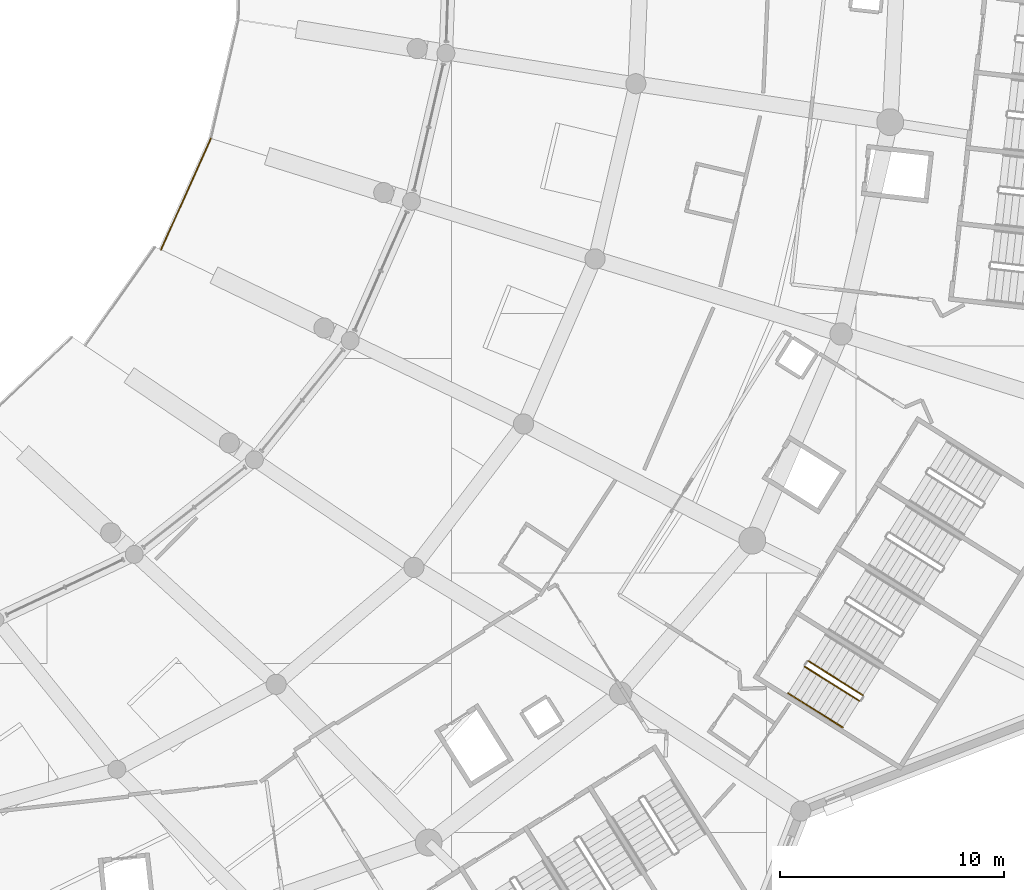
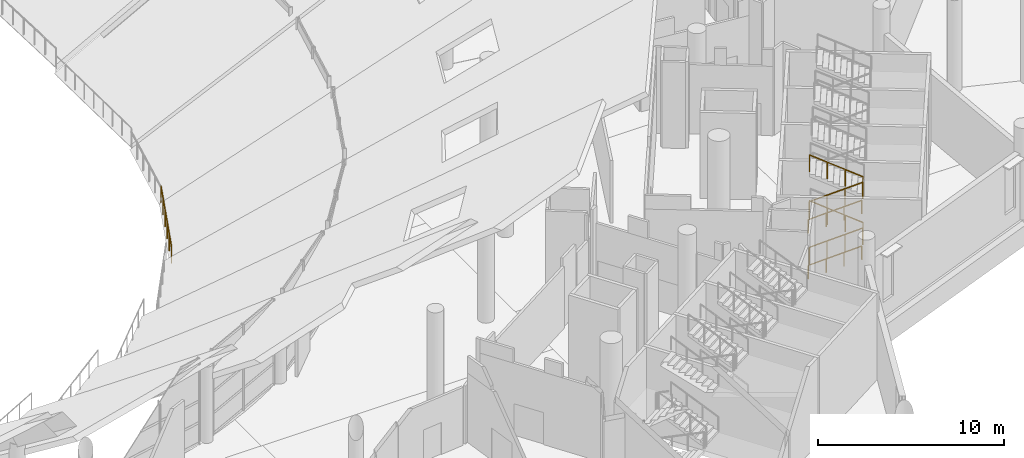
# One storey, part 221 of 249: 7 railings.
"""IFC4 building model written with IfcOpenShell, lengths in metres."""

import ifcopenshell
import ifcopenshell.guid

model = None  # the IFC model being written
_history = None  # IfcOwnerHistory: only IFC2X3 demands one
_inside = {}  # id of a spatial element -> (the spatial element, [elements in it])
_under = {}  # id of a project, library or spatial element -> (it, [spatial elements below it])
_declared = {}  # id of a project -> (the project, [libraries it declares])
_typed = {}  # id of a type object -> (the type object, [elements of that type])
_made_of = {}  # id of a material, layer set ... -> (it, [elements and type objects made of it])


def new_model(schema):
    """Start an empty IFC model of exactly this schema.

    Asked for "IFC4X3", IfcOpenShell would pick the latest addendum, in which some entities
    have other attributes; the version numbers below select the first issue.
    IFC2X3 requires an IfcOwnerHistory on every rooted entity: one is made here for all.
    """
    global model, _history
    if schema == "IFC4X3":
        model = ifcopenshell.file(schema_version=(4, 3, 0, 0))
    else:
        model = ifcopenshell.file(schema=schema)
    _inside.clear()
    _under.clear()
    _declared.clear()
    _typed.clear()
    _made_of.clear()
    _history = None
    if model.schema == "IFC2X3":
        org = make("IfcOrganization", Name="unknown")
        user = make(
            "IfcPersonAndOrganization",
            ThePerson=make("IfcPerson", FamilyName="unknown"),
            TheOrganization=org,
        )
        app = make(
            "IfcApplication",
            ApplicationDeveloper=org,
            Version="unknown",
            ApplicationFullName="unknown",
            ApplicationIdentifier="unknown",
        )
        _history = make(
            "IfcOwnerHistory",
            OwningUser=user,
            OwningApplication=app,
            ChangeAction="ADDED",
            CreationDate=0,
        )
    return model


def make(cls, **values):
    """One entity of the class cls with the attributes given. An attribute that is None is left unset."""
    return model.create_entity(
        cls, **{name: value for name, value in values.items() if value is not None}
    )


def rooted(cls, **values):
    """An entity with a GlobalId (a new one), such as an element, a storey or a relation."""
    return make(cls, GlobalId=ifcopenshell.guid.new(), OwnerHistory=_history, **values)


def si_unit(unit_type, name, prefix=None):
    """IfcSIUnit, for example si_unit("LENGTHUNIT", "METRE", prefix="MILLI")."""
    return make("IfcSIUnit", UnitType=unit_type, Prefix=prefix, Name=name)


def assignment(units):
    """IfcUnitAssignment: the units of a project."""
    return None if units is None else make("IfcUnitAssignment", Units=units)


def point(xyz):
    """IfcCartesianPoint."""
    return None if xyz is None else make("IfcCartesianPoint", Coordinates=xyz)


def direction(xyz):
    """IfcDirection."""
    return None if xyz is None else make("IfcDirection", DirectionRatios=xyz)


def frame(location, z_axis=None, x_axis=None):
    """IfcAxis2Placement3D, a coordinate frame: its origin and axes. An axis left out is left unset."""
    return make(
        "IfcAxis2Placement3D",
        Location=point(location),
        Axis=direction(z_axis),
        RefDirection=direction(x_axis),
    )


def frame_2d(location, x_axis=None):
    """IfcAxis2Placement2D, a coordinate frame in the plane: its origin and x axis."""
    return make(
        "IfcAxis2Placement2D", Location=point(location), RefDirection=direction(x_axis)
    )


def origin():
    """The frame at (0, 0, 0) with its axes left unset."""
    return frame((0.0, 0.0, 0.0))


def origin_2d():
    """The frame at (0, 0) in the plane with its x axis left unset."""
    return frame_2d((0.0, 0.0))


def place(relative_to, where):
    """IfcLocalPlacement: puts the frame where relative to a parent placement (None: the world)."""
    return make(
        "IfcLocalPlacement", PlacementRelTo=relative_to, RelativePlacement=where
    )


def context(
    kind, dimensions, precision=None, world=None, true_north=None, identifier=None
):
    """IfcGeometricRepresentationContext, for example the 3D "Model" context."""
    return make(
        "IfcGeometricRepresentationContext",
        ContextIdentifier=identifier,
        ContextType=kind,
        CoordinateSpaceDimension=dimensions,
        Precision=precision,
        WorldCoordinateSystem=world,
        TrueNorth=true_north,
    )


def subcontext(parent, identifier, kind, view, scale=None):
    """IfcGeometricRepresentationSubContext, for example "Body" below "Model"."""
    return make(
        "IfcGeometricRepresentationSubContext",
        ContextIdentifier=identifier,
        ContextType=kind,
        ParentContext=parent,
        TargetScale=scale,
        TargetView=view,
    )


def project(units=None, contexts=None):
    """IfcProject with its units and contexts."""
    return rooted(
        "IfcProject",
        Name="project",
        RepresentationContexts=contexts,
        UnitsInContext=assignment(units),
    )


def spatial(cls, under=None, at=None, **own):
    """A site, building, storey or space (cls), placed at a placement, below another one or the project."""
    s = rooted(cls, ObjectPlacement=at, **own)
    if under is not None:
        _under.setdefault(under.id(), (under, []))[1].append(s)
    return s


def profile(cls, at=None, kind="AREA", **sizes):
    """A parametric profile (cls). Its sizes go by their IFC names, for example OverallWidth=200.0."""
    return make(cls, ProfileType=kind, Position=at, **sizes)


def circle(**sizes):
    """IfcCircleProfileDef."""
    return profile("IfcCircleProfileDef", **sizes)


def extrude(swept, where, along, depth):
    """IfcExtrudedAreaSolid: the profile swept, set in the frame where, extruded along a direction by depth."""
    return make(
        "IfcExtrudedAreaSolid",
        SweptArea=swept,
        Position=where,
        ExtrudedDirection=direction(along),
        Depth=depth,
    )


def shape(context_of_items, identifier, shape_type, items):
    """IfcShapeRepresentation: the items that make up one representation, for example the "Body"."""
    return make(
        "IfcShapeRepresentation",
        ContextOfItems=context_of_items,
        RepresentationIdentifier=identifier,
        RepresentationType=shape_type,
        Items=items,
    )


def material(Name=None, Category=None):
    """IfcMaterial."""
    return make("IfcMaterial", Name=Name, Category=Category)


def made_of(thing, what):
    """Note that an element or type object is made of a material, layer set ...; save() writes the relation."""
    if what is not None:
        _made_of.setdefault(what.id(), (what, []))[1].append(thing)
    return thing


def type_object(cls, material=None, **own):
    """A type object (cls), such as IfcWallType, which elements share."""
    return made_of(rooted(cls, **own), material)


def element(
    cls,
    number,
    at=None,
    inside=None,
    cuts=None,
    type_object=None,
    material=None,
    context=None,
    identifier="Body",
    shape_type=None,
    held_by="IfcProductDefinitionShape",
    body=None,
    shapes=None,
    **own,
):
    """One element of the class cls, such as IfcWall. Its Tag is "e" and its number.

    at: its placement. inside: the storey or other place that contains it. cuts: it is an
    opening in that element (IfcRelVoidsElement). A single representation is given by context,
    identifier, shape_type and body (its items); several are given by shapes. held_by: the class
    of the entity that holds the representations. save() writes the other relations.
    """
    e = rooted(cls, Tag="e%d" % number, ObjectPlacement=at, **own)
    if body is not None:
        shapes = [shape(context, identifier, shape_type, body)]
    if shapes is not None:
        e.Representation = make(held_by, Representations=shapes)
    if inside is not None:
        _inside.setdefault(inside.id(), (inside, []))[1].append(e)
    if cuts is not None:
        rooted(
            "IfcRelVoidsElement", RelatingBuildingElement=cuts, RelatedOpeningElement=e
        )
    if type_object is not None:
        _typed.setdefault(type_object.id(), (type_object, []))[1].append(e)
    return made_of(e, material)


def aggregate(whole, parts):
    """IfcRelAggregates: a whole, such as a stair, and the parts it consists of."""
    return rooted("IfcRelAggregates", RelatingObject=whole, RelatedObjects=parts)


def save(model, path):
    """Write the relations noted so far, then the file.

    IfcRelAggregates (storeys below a building ...), IfcRelContainedInSpatialStructure (elements
    in a storey), IfcRelDefinesByType, IfcRelAssociatesMaterial and IfcRelDeclares: one each for
    every whole, place, type object, material and project.
    """
    for whole, parts in _under.values():
        aggregate(whole, parts)
    for where, things in _inside.values():
        rooted(
            "IfcRelContainedInSpatialStructure",
            RelatedElements=things,
            RelatingStructure=where,
        )
    for kind, things in _typed.values():
        rooted("IfcRelDefinesByType", RelatedObjects=things, RelatingType=kind)
    for what, things in _made_of.values():
        rooted("IfcRelAssociatesMaterial", RelatedObjects=things, RelatingMaterial=what)
    for by, libraries in _declared.values():
        rooted("IfcRelDeclares", RelatingContext=by, RelatedDefinitions=libraries)
    model.write(path)


model = new_model("IFC4")

# Units and contexts
model_context = context("Model", 3, precision=1e-05, world=origin(), true_north=direction((0.0, 1.0)))
body_context = subcontext(model_context, "Body", "Model", "MODEL_VIEW")
ifc_project = project(units=[si_unit("LENGTHUNIT", "METRE"), si_unit("AREAUNIT", "SQUARE_METRE"), si_unit("VOLUMEUNIT", "CUBIC_METRE"), si_unit("PLANEANGLEUNIT", "RADIAN"), si_unit("MASSUNIT", "GRAM", prefix="KILO")], contexts=[model_context])

# Site, building, storey
site_placement = place(None, origin())
site = spatial("IfcSite", under=ifc_project, at=site_placement, CompositionType="ELEMENT")
building_placement = place(site_placement, origin())
building = spatial("IfcBuilding", under=site, at=building_placement, Name="Meseta Stadium", CompositionType="ELEMENT")
storey_placement = place(building_placement, frame((0.0, 0.0, 12.0)))
storey = spatial("IfcBuildingStorey", under=building, at=storey_placement, Name="L02", CompositionType="ELEMENT", Elevation=12.0)

# Railings
ifc_material_1 = material(Name="Steel S355", Category="steel")
railing_type_1 = type_object("IfcRailingType", Name="Stair guard 1100", PredefinedType="GUARDRAIL", material=ifc_material_1)
railing_1_placement = place(storey_placement, frame((80.54736328125, -77.907958984375, 0.14990234375)))
element("IfcRailing", 1, at=railing_1_placement, inside=storey, type_object=railing_type_1, Name="ST109 L02 guard 1", PredefinedType="GUARDRAIL", context=body_context, shape_type="SweptSolid", body=[
    extrude(circle(Radius=0.02392578125, at=origin_2d()), frame((0.0, 0.0, 1.076171875), z_axis=(0.766655447606, -0.481731036161, 0.424469826318), x_axis=(0.53203959143, 0.846719477248, 0.0)), (0.0, 0.0, 1.0), 3.1806640625),
    extrude(circle(Radius=0.02099609375, at=origin_2d()), origin(), (0.0, 0.0, 1.0), 1.052001953125),
    extrude(circle(Radius=0.02099609375, at=origin_2d()), frame((0.812744140625, -0.5107421875, 0.449951171875)), (0.0, 0.0, 1.0), 1.052001953125),
    extrude(circle(Radius=0.02099609375, at=origin_2d()), frame((1.625732421875, -1.021484375, 0.900146484375)), (0.0, 0.0, 1.0), 1.052001953125),
    extrude(circle(Radius=0.02099609375, at=origin_2d()), frame((2.4384765625, -1.5322265625, 1.35009765625)), (0.0, 0.0, 1.0), 1.052001953125),
])
railing_2_placement = place(storey_placement, frame((83.1455078125, -79.18603515625, 1.64990234375)))
element("IfcRailing", 2, at=railing_2_placement, inside=storey, type_object=railing_type_1, Name="ST109 L02 guard 3", PredefinedType="GUARDRAIL", context=body_context, shape_type="SweptSolid", body=[
    extrude(circle(Radius=0.02392578125, at=origin_2d()), frame((0.0, 0.0, 1.076171875), z_axis=(-0.766655447606, 0.481731036161, 0.424469826318), x_axis=(-0.53203959143, -0.846719477248, 0.0)), (0.0, 0.0, 1.0), 3.1806640625),
    extrude(circle(Radius=0.02099609375, at=origin_2d()), origin(), (0.0, 0.0, 1.0), 1.052001953125),
    extrude(circle(Radius=0.02099609375, at=origin_2d()), frame((-0.812744140625, 0.5107421875, 0.449951171875)), (0.0, 0.0, 1.0), 1.052001953125),
    extrude(circle(Radius=0.02099609375, at=origin_2d()), frame((-1.625732421875, 1.021484375, 0.900146484375)), (0.0, 0.0, 1.0), 1.052001953125),
    extrude(circle(Radius=0.02099609375, at=origin_2d()), frame((-2.4384765625, 1.5322265625, 1.35009765625)), (0.0, 0.0, 1.0), 1.052001953125),
])
railing_3_placement = place(storey_placement, frame((80.54736328125, -77.907958984375, 3.14990234375)))
element("IfcRailing", 3, at=railing_3_placement, inside=storey, type_object=railing_type_1, Name="ST109 L02 guard 5", PredefinedType="GUARDRAIL", context=body_context, shape_type="SweptSolid", body=[
    extrude(circle(Radius=0.02392578125, at=origin_2d()), frame((0.0, 0.0, 1.076171875), z_axis=(0.766655447606, -0.481731036161, 0.424469826318), x_axis=(0.53203959143, 0.846719477248, 0.0)), (0.0, 0.0, 1.0), 3.1806640625),
    extrude(circle(Radius=0.02099609375, at=origin_2d()), origin(), (0.0, 0.0, 1.0), 1.052001953125),
    extrude(circle(Radius=0.02099609375, at=origin_2d()), frame((0.812744140625, -0.5107421875, 0.449951171875)), (0.0, 0.0, 1.0), 1.052001953125),
    extrude(circle(Radius=0.02099609375, at=origin_2d()), frame((1.625732421875, -1.021484375, 0.900146484375)), (0.0, 0.0, 1.0), 1.052001953125),
    extrude(circle(Radius=0.02099609375, at=origin_2d()), frame((2.4384765625, -1.5322265625, 1.35009765625)), (0.0, 0.0, 1.0), 1.052001953125),
])
railing_4_placement = place(storey_placement, frame((83.1455078125, -79.18603515625, 4.64990234375)))
element("IfcRailing", 4, at=railing_4_placement, inside=storey, type_object=railing_type_1, Name="ST109 L02 guard 7", PredefinedType="GUARDRAIL", context=body_context, shape_type="SweptSolid", body=[
    extrude(circle(Radius=0.02392578125, at=origin_2d()), frame((0.0, 0.0, 1.076171875), z_axis=(-0.766655447606, 0.481731036161, 0.424469826318), x_axis=(-0.53203959143, -0.846719477248, 0.0)), (0.0, 0.0, 1.0), 3.1806640625),
    extrude(circle(Radius=0.02099609375, at=origin_2d()), origin(), (0.0, 0.0, 1.0), 1.052001953125),
    extrude(circle(Radius=0.02099609375, at=origin_2d()), frame((-0.812744140625, 0.5107421875, 0.449951171875)), (0.0, 0.0, 1.0), 1.052001953125),
    extrude(circle(Radius=0.02099609375, at=origin_2d()), frame((-1.625732421875, 1.021484375, 0.900146484375)), (0.0, 0.0, 1.0), 1.052001953125),
    extrude(circle(Radius=0.02099609375, at=origin_2d()), frame((-2.4384765625, 1.5322265625, 1.35009765625)), (0.0, 0.0, 1.0), 1.052001953125),
])
ifc_material_2 = material(Name="Steel S355", Category="steel")
railing_type_2 = type_object("IfcRailingType", Name="Stair handrail 900", PredefinedType="HANDRAIL", material=ifc_material_2)
for number, where, name in (
    (5, (79.802490234375, -79.09326171875, 0.14990234375), "ST109 L02 handrail 1"),
    (6, (79.802490234375, -79.09326171875, 3.14990234375), "ST109 L02 handrail 3"),
):
    element("IfcRailing", number, at=place(storey_placement, frame(where)), inside=storey, type_object=railing_type_2, Name=name, PredefinedType="HANDRAIL", context=body_context, shape_type="SweptSolid", body=[
        extrude(circle(Radius=0.02392578125, at=origin_2d()), frame((0.0, 0.0, 0.8759765625), z_axis=(0.766687087345, -0.481702688975, 0.424444848635), x_axis=(0.532001404082, 0.84674347122, 0.0)), (0.0, 0.0, 1.0), 3.180908203125),
        extrude(circle(Radius=0.02099609375, at=origin_2d()), origin(), (0.0, 0.0, 1.0), 0.851806640625),
        extrude(circle(Radius=0.02099609375, at=origin_2d()), frame((0.81298828125, -0.5107421875, 0.449951171875)), (0.0, 0.0, 1.0), 0.851806640625),
        extrude(circle(Radius=0.02099609375, at=origin_2d()), frame((1.625732421875, -1.021484375, 0.900146484375)), (0.0, 0.0, 1.0), 0.851806640625),
        extrude(circle(Radius=0.02099609375, at=origin_2d()), frame((2.438720703125, -1.5322265625, 1.35009765625)), (0.0, 0.0, 1.0), 0.851806640625),
    ])
ifc_material_3 = material(Name="Steel S355", Category="steel")
railing_type_3 = type_object("IfcRailingType", Name="Stand edge guard 1100", PredefinedType="GUARDRAIL", material=ifc_material_3)
railing_5_placement = place(storey_placement, frame((51.768310546875, -59.264892578125, -1.0146484375)))
element("IfcRailing", 7, at=railing_5_placement, inside=storey, type_object=railing_type_3, Name="Stand upper tier front guard bay 55", PredefinedType="GUARDRAIL", context=body_context, shape_type="SweptSolid", body=[
    extrude(circle(Radius=0.02490234375, at=origin_2d()), frame((0.0, 0.0, 1.0751953125), z_axis=(0.408389514087, 0.912370036516, 0.028265195063), x_axis=(-0.912734710946, 0.408552747432, 0.0)), (0.0, 0.0, 1.0), 5.4501953125),
    extrude(circle(Radius=0.02001953125, at=origin_2d()), origin(), (0.0, 0.0, 1.0), 1.050048828125),
    extrude(circle(Radius=0.02001953125, at=origin_2d()), frame((0.445068359375, 0.99462890625, 0.03076171875)), (0.0, 0.0, 1.0), 1.050048828125),
    extrude(circle(Radius=0.02001953125, at=origin_2d()), frame((0.890380859375, 1.989013671875, 0.0615234375)), (0.0, 0.0, 1.0), 1.050048828125),
    extrude(circle(Radius=0.02001953125, at=origin_2d()), frame((1.33544921875, 2.983642578125, 0.092529296875)), (0.0, 0.0, 1.0), 1.050048828125),
    extrude(circle(Radius=0.02001953125, at=origin_2d()), frame((1.78076171875, 3.97802734375, 0.123291015625)), (0.0, 0.0, 1.0), 1.050048828125),
    extrude(circle(Radius=0.02001953125, at=origin_2d()), frame((2.225830078125, 4.97265625, 0.154052734375)), (0.0, 0.0, 1.0), 1.050048828125),
])

save(model, "model.ifc")
